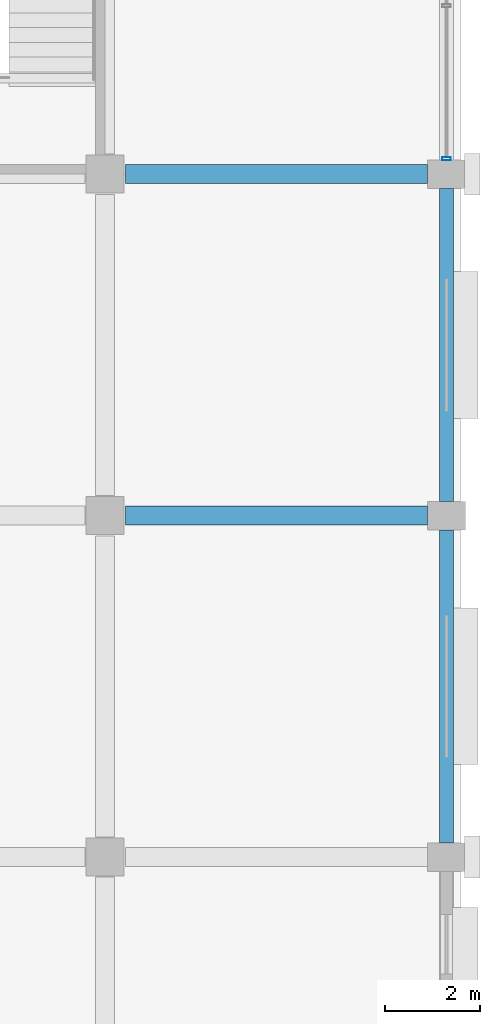
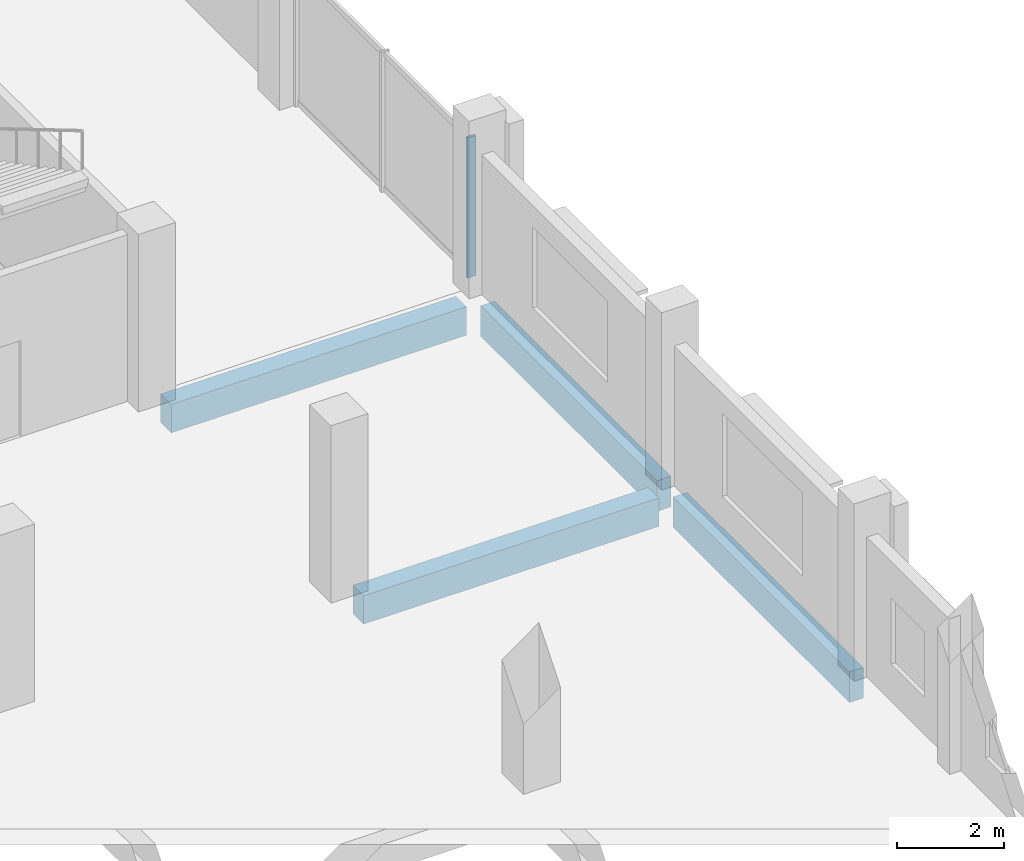
# One storey, part 65 of 107: 4 beams, 1 member, 1 element without a shape of its own.
"""IFC4 building model written with IfcOpenShell, lengths in metres."""

from ifc_helpers import new_model, si_unit, direction, frame, origin, origin_2d, place, context, subcontext, project, spatial, rectangle, hollow_rectangle, extrude, material, layer, layer_set, material_profile, profile_set, type_object, element, aggregate, save


model = new_model("IFC4")

# Units and contexts
model_context = context("Model", 3, precision=1e-05, world=origin(), true_north=direction((0.0, 1.0)))
body_context = subcontext(model_context, "Body", "Model", "MODEL_VIEW")
ifc_project = project(units=[si_unit("LENGTHUNIT", "METRE"), si_unit("AREAUNIT", "SQUARE_METRE"), si_unit("VOLUMEUNIT", "CUBIC_METRE"), si_unit("PLANEANGLEUNIT", "RADIAN"), si_unit("MASSUNIT", "GRAM", prefix="KILO")], contexts=[model_context])

# Site, building, storey
site_placement = place(None, origin())
site = spatial("IfcSite", under=ifc_project, at=site_placement, CompositionType="ELEMENT")
building_placement = place(site_placement, origin())
building = spatial("IfcBuilding", under=site, at=building_placement, Name="Kangsadwip Square Police Headquarters", CompositionType="ELEMENT")
storey_placement = place(building_placement, frame((0.0, 0.0, 5.39990234375)))
storey = spatial("IfcBuildingStorey", under=building, at=storey_placement, Name="L01", CompositionType="ELEMENT", Elevation=5.39990234375)

# Curtain wall, member
ifc_material_1 = material(Name="Thermally broken anodised aluminium AW-6063-T6", Category="aluminium")
ifc_layer = layer(ifc_material_1, 0.159912109375)
ifc_layer_set = layer_set([ifc_layer], Name="Thermally broken anodised aluminium AW-6063-T6")
curtain_wall_type = type_object("IfcCurtainWallType", Name="UnitisedCw6510x3200", PredefinedType="NOTDEFINED", material=ifc_layer_set)
curtain_wall_placement = place(storey_placement, origin())
curtain_wall = element("IfcCurtainWall", 1, at=curtain_wall_placement, inside=storey, type_object=curtain_wall_type, Name="Curtain Wall CW-L01-1656-0939", PredefinedType="NOTDEFINED")
ifc_material_2 = material(Name="Thermally broken anodised aluminium AW-6063-T6", Category="aluminium")
ifc_material_profile_1 = material_profile(ifc_material_2, hollow_rectangle(XDim=0.06494140625, YDim=0.179931640625, WallThickness=0.00390625, at=origin_2d()), Name="CWM 180X65X4")
ifc_profile_set_1 = profile_set([ifc_material_profile_1], Name="Thermally broken anodised aluminium AW-6063-T6")
member_type = type_object("IfcMemberType", Name="CwMullion160x65", PredefinedType="MULLION", material=ifc_profile_set_1)
member_placement = place(storey_placement, frame((165.60009765625, 93.927490234375, 0.0), z_axis=(0.0, 0.0, 1.0), x_axis=(0.0, 1.0, 0.0)))
member = element("IfcMember", 2, at=member_placement, type_object=member_type, Name="CW-24 mullion 1", PredefinedType="MULLION", context=body_context, shape_type="SweptSolid", body=[
    extrude(hollow_rectangle(XDim=0.06494140625, YDim=0.179931640625, WallThickness=0.00390625, at=origin_2d()), origin(), (0.0, 0.0, 1.0), 3.2001953125),
])
aggregate(curtain_wall, [member])

# Beams
ifc_material_3 = material(Name="Concrete M35 (35 MPa)", Category="concrete")
ifc_material_profile_2 = material_profile(ifc_material_3, rectangle(XDim=0.39990234375, YDim=0.64990234375, at=origin_2d()), Name="RC BM 650X400")
ifc_profile_set_2 = profile_set([ifc_material_profile_2], Name="Concrete M35 (35 MPa)")
beam_type_1 = type_object("IfcBeamType", Name="RcBeam650x400", PredefinedType="BEAM", material=ifc_profile_set_2)
for number, where, z_axis, x_axis, name in (
    (3, (158.824951171875, 86.39990234375, -0.56494140625), (1.0, 0.0, 0.0), (0.0, 1.0, 0.0), "Beam BM-L01-X-22-12"),
    (4, (158.824951171875, 93.60009765625, -0.56494140625), (1.0, 0.0, 0.0), (0.0, 1.0, 0.0), "Beam BM-L01-X-22-13"),
):
    element("IfcBeam", number, at=place(storey_placement, frame(where, z_axis=z_axis, x_axis=x_axis)), inside=storey, type_object=beam_type_1, Name=name, PredefinedType="BEAM", context=body_context, shape_type="SweptSolid", body=[
        extrude(rectangle(XDim=0.39990234375, YDim=0.64990234375, at=origin_2d()), origin(), (0.0, 0.0, 1.0), 6.375),
    ])
ifc_material_4 = material(Name="Concrete M40 (40 MPa)", Category="concrete")
ifc_material_profile_3 = material_profile(ifc_material_4, rectangle(XDim=0.300048828125, YDim=0.699951171875, at=origin_2d()), Name="RC SPN 700X300")
ifc_profile_set_3 = profile_set([ifc_material_profile_3], Name="Concrete M40 (40 MPa)")
beam_type_2 = type_object("IfcBeamType", Name="RcSpandrel700x300", PredefinedType="SPANDREL", material=ifc_profile_set_3)
for number, where, z_axis, x_axis, name in (
    (5, (165.60009765625, 79.5, -0.58984375), (0.0, 1.0, 0.0), (-1.0, 0.0, 0.0), "Beam BM-L01-Y-23-11"),
    (6, (165.60009765625, 86.699951171875, -0.58984375), (0.0, 1.0, 0.0), (-1.0, 0.0, 0.0), "Beam BM-L01-Y-23-12"),
):
    element("IfcBeam", number, at=place(storey_placement, frame(where, z_axis=z_axis, x_axis=x_axis)), inside=storey, type_object=beam_type_2, Name=name, PredefinedType="SPANDREL", context=body_context, shape_type="SweptSolid", body=[
        extrude(rectangle(XDim=0.300048828125, YDim=0.699951171875, at=origin_2d()), origin(), (0.0, 0.0, 1.0), 6.60009765625),
    ])

save(model, "model.ifc")
